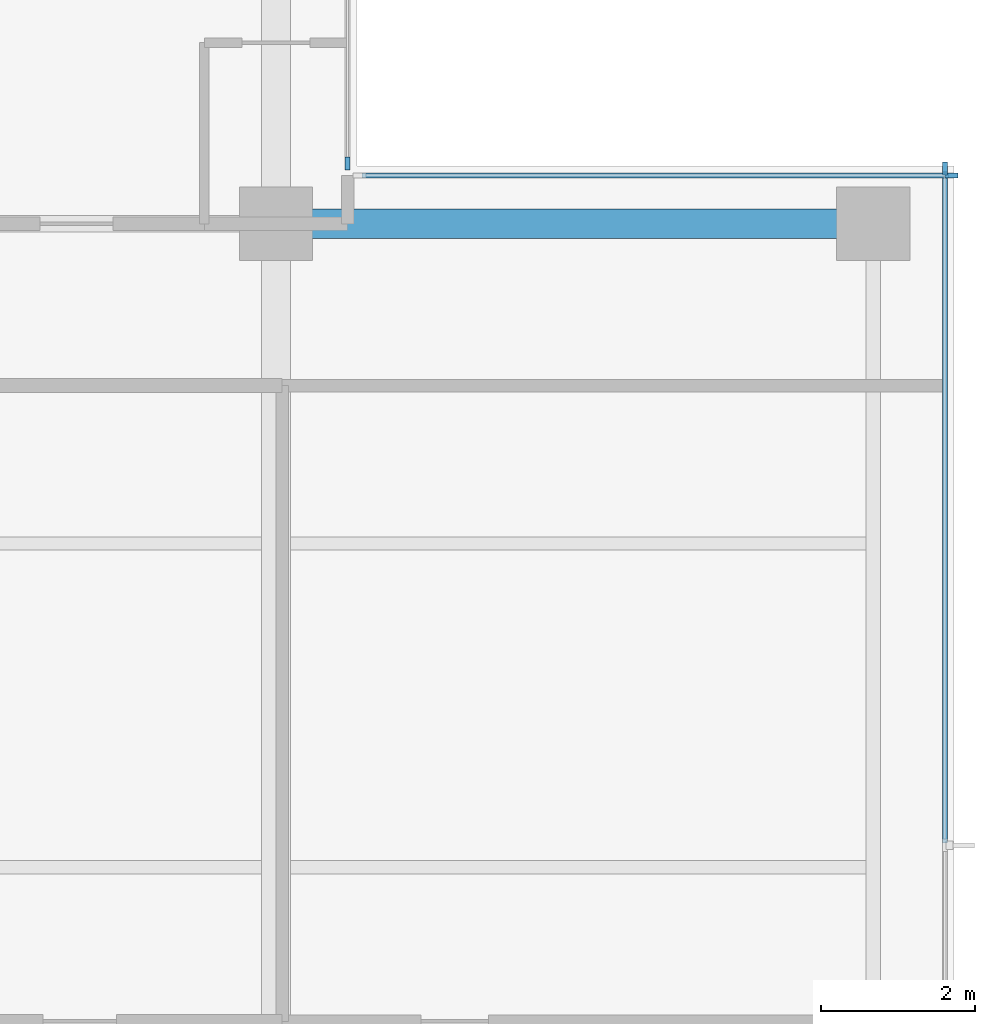
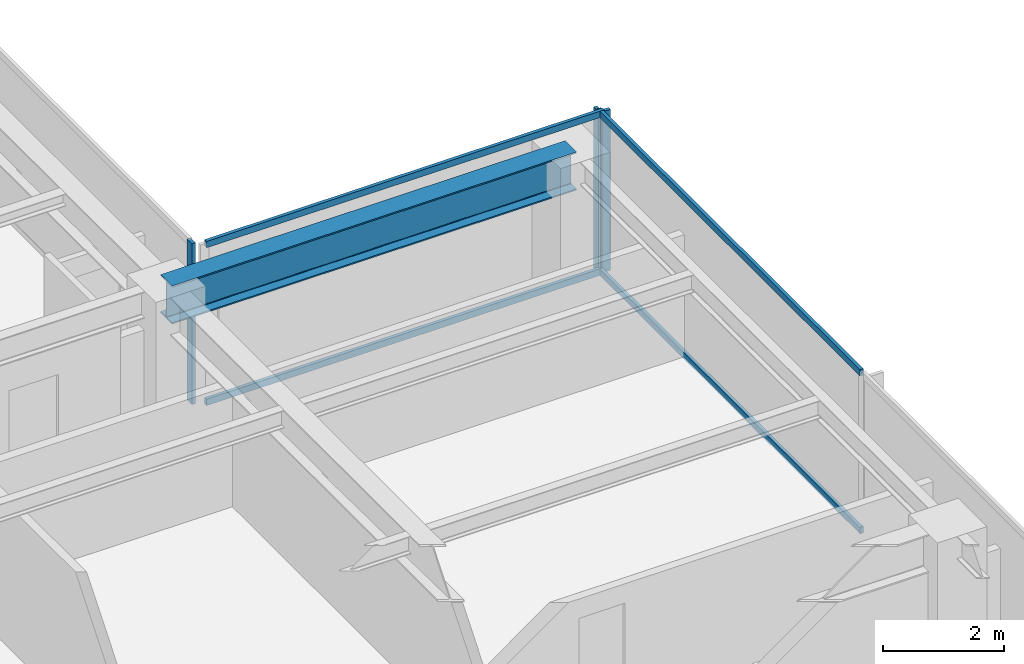
# One storey, part 4 of 15: 7 members, 1 beam, 3 elements without a shape of their own.
"""IFC4 building model written with IfcOpenShell, lengths in metres."""

from ifc_helpers import new_model, si_unit, direction, frame, origin, origin_2d, place, context, subcontext, project, spatial, rectangle, i_section, extrude, material, layer, layer_set, material_profile, profile_set, type_object, element, aggregate, save


model = new_model("IFC4")

# Units and contexts
model_context = context("Model", 3, precision=1e-05, world=origin(), true_north=direction((0.0, 1.0)))
body_context = subcontext(model_context, "Body", "Model", "MODEL_VIEW")
ifc_project = project(units=[si_unit("LENGTHUNIT", "METRE"), si_unit("AREAUNIT", "SQUARE_METRE"), si_unit("VOLUMEUNIT", "CUBIC_METRE"), si_unit("PLANEANGLEUNIT", "RADIAN"), si_unit("MASSUNIT", "GRAM", prefix="KILO")], contexts=[model_context])

# Site, building, storey
site_placement = place(None, origin())
site = spatial("IfcSite", under=ifc_project, at=site_placement, CompositionType="ELEMENT")
building_placement = place(site_placement, origin())
building = spatial("IfcBuilding", under=site, at=building_placement, Name="Qalmaran Belvedere Hotel", CompositionType="ELEMENT")
storey_placement = place(building_placement, frame((0.0, 0.0, 203.89990234375)))
storey = spatial("IfcBuildingStorey", under=building, at=storey_placement, Name="L51", CompositionType="ELEMENT", Elevation=203.89990234375)

# Beam
ifc_material_1 = material(Name="Steel S355JR", Category="steel")
ifc_material_profile_1 = material_profile(ifc_material_1, i_section(OverallWidth=0.381103515625, OverallDepth=0.77294921875, WebThickness=0.0166015625, FlangeThickness=0.027099609375, FilletRadius=0.02197265625, at=origin_2d()), Name="W760X257")
ifc_profile_set_1 = profile_set([ifc_material_profile_1], Name="Steel S355JR")
beam_type = type_object("IfcBeamType", Name="BM-PG4-W760X257", PredefinedType="USERDEFINED", material=ifc_profile_set_1)
beam_placement = place(storey_placement, frame((44.800048828125, 33.0, 2.87353515625), z_axis=(1.0, 0.0, 0.0), x_axis=(0.0, 1.0, 0.0)))
element("IfcBeam", 1, at=beam_placement, inside=storey, type_object=beam_type, Name="L51 East Wing Girder 27", ObjectType="GIRDER", PredefinedType="USERDEFINED", context=body_context, shape_type="SweptSolid", body=[
    extrude(i_section(OverallWidth=0.381103515625, OverallDepth=0.77294921875, WebThickness=0.0166015625, FlangeThickness=0.027099609375, FilletRadius=0.02197265625, at=origin_2d()), origin(), (0.0, 0.0, 1.0), 7.75),
])

# Curtain wall, member
ifc_material_2 = material(Name="Anodised Bronze Aluminium", Category="aluminium")
ifc_layer = layer(ifc_material_2, 0.18994140625, Name="Anodised Bronze Aluminium")
ifc_layer_set = layer_set([ifc_layer], Name="Anodised Bronze Aluminium")
curtain_wall_type = type_object("IfcCurtainWallType", Name="CW5-TOWER-UPPER", PredefinedType="NOTDEFINED", material=ifc_layer_set)
curtain_wall_1_placement = place(storey_placement, origin())
curtain_wall_1 = element("IfcCurtainWall", 2, at=curtain_wall_1_placement, inside=storey, type_object=curtain_wall_type, Name="L51 Curtain Wall CW5", PredefinedType="NOTDEFINED")
ifc_material_profile_2 = material_profile(ifc_material_2, rectangle(XDim=0.06494140625, YDim=0.1650390625, at=origin_2d()), Name="CWM65X165")
ifc_profile_set_2 = profile_set([ifc_material_profile_2], Name="Anodised Bronze Aluminium")
member_type_1 = type_object("IfcMemberType", Name="CWM-65X165", PredefinedType="MULLION", material=ifc_profile_set_2)
member_1_placement = place(storey_placement, frame((53.47998046875, 33.717529296875, 0.0), z_axis=(0.0, 0.0, 1.0), x_axis=(-1.0, 0.0, 0.0)))
member_1 = element("IfcMember", 3, at=member_1_placement, type_object=member_type_1, Name="CW5 mullion 4", PredefinedType="MULLION", context=body_context, shape_type="SweptSolid", body=[
    extrude(rectangle(XDim=0.06494140625, YDim=0.1650390625, at=origin_2d()), origin(), (0.0, 0.0, 1.0), 3.260009765625),
])

curtain_wall_2_placement = place(storey_placement, origin())
curtain_wall_2 = element("IfcCurtainWall", 4, at=curtain_wall_2_placement, inside=storey, type_object=curtain_wall_type, Name="L51 Curtain Wall CW5", PredefinedType="NOTDEFINED")
member_2_placement = place(storey_placement, frame((53.5673828125, 33.6298828125, 0.0), z_axis=(0.0, 0.0, 1.0), x_axis=(0.0, -1.0, 0.0)))
member_2 = element("IfcMember", 5, at=member_2_placement, type_object=member_type_1, Name="CW5 mullion 1", PredefinedType="MULLION", context=body_context, shape_type="SweptSolid", body=[
    extrude(rectangle(XDim=0.06494140625, YDim=0.1650390625, at=origin_2d()), origin(), (0.0, 0.0, 1.0), 3.260009765625),
])

curtain_wall_3_placement = place(storey_placement, origin())
curtain_wall_3 = element("IfcCurtainWall", 6, at=curtain_wall_3_placement, inside=storey, type_object=curtain_wall_type, Name="L51 Curtain Wall CW5", PredefinedType="NOTDEFINED")
member_3_placement = place(storey_placement, frame((45.72998046875, 33.782470703125, 0.0), z_axis=(0.0, 0.0, 1.0), x_axis=(-1.0, 0.0, 0.0)))
member_3 = element("IfcMember", 7, at=member_3_placement, type_object=member_type_1, Name="CW5 mullion 1", PredefinedType="MULLION", context=body_context, shape_type="SweptSolid", body=[
    extrude(rectangle(XDim=0.06494140625, YDim=0.1650390625, at=origin_2d()), origin(), (0.0, 0.0, 1.0), 3.260009765625),
])
aggregate(curtain_wall_3, [member_3])

# Member
ifc_material_profile_3 = material_profile(ifc_material_2, rectangle(XDim=0.06494140625, YDim=0.1298828125, at=origin_2d()), Name="CWT65X130")
ifc_profile_set_3 = profile_set([ifc_material_profile_3], Name="Anodised Bronze Aluminium")
member_type_2 = type_object("IfcMemberType", Name="CWT-65X130", PredefinedType="USERDEFINED", material=ifc_profile_set_3)
member_4_placement = place(storey_placement, frame((53.47998046875, 24.9658203125, 0.03271484375), z_axis=(0.0, 1.0, 0.0), x_axis=(-1.0, 0.0, 0.0)))
member_4 = element("IfcMember", 8, at=member_4_placement, type_object=member_type_2, Name="CW5 transom 3.1", ObjectType="TRANSOM", PredefinedType="USERDEFINED", context=body_context, shape_type="SweptSolid", body=[
    extrude(rectangle(XDim=0.06494140625, YDim=0.1298828125, at=origin_2d()), origin(), (0.0, 0.0, 1.0), 8.71923828125),
])

member_5_placement = place(storey_placement, frame((53.47998046875, 24.9658203125, 3.2275390625), z_axis=(0.0, 1.0, 0.0), x_axis=(-1.0, 0.0, 0.0)))
member_5 = element("IfcMember", 9, at=member_5_placement, type_object=member_type_2, Name="CW5 transom 3.2", ObjectType="TRANSOM", PredefinedType="USERDEFINED", context=body_context, shape_type="SweptSolid", body=[
    extrude(rectangle(XDim=0.06494140625, YDim=0.1298828125, at=origin_2d()), origin(), (0.0, 0.0, 1.0), 8.71923828125),
])

aggregate(curtain_wall_1, [member_1, member_4, member_5])

member_6_placement = place(storey_placement, frame((53.534912109375, 33.6298828125, 0.03271484375), z_axis=(-1.0, 0.0, 0.0), x_axis=(0.0, -1.0, 0.0)))
member_6 = element("IfcMember", 10, at=member_6_placement, type_object=member_type_2, Name="CW5 transom 1.1", ObjectType="TRANSOM", PredefinedType="USERDEFINED", context=body_context, shape_type="SweptSolid", body=[
    extrude(rectangle(XDim=0.06494140625, YDim=0.1298828125, at=origin_2d()), origin(), (0.0, 0.0, 1.0), 7.619873046875),
])

member_7_placement = place(storey_placement, frame((53.534912109375, 33.6298828125, 3.2275390625), z_axis=(-1.0, 0.0, 0.0), x_axis=(0.0, -1.0, 0.0)))
member_7 = element("IfcMember", 11, at=member_7_placement, type_object=member_type_2, Name="CW5 transom 1.2", ObjectType="TRANSOM", PredefinedType="USERDEFINED", context=body_context, shape_type="SweptSolid", body=[
    extrude(rectangle(XDim=0.06494140625, YDim=0.1298828125, at=origin_2d()), origin(), (0.0, 0.0, 1.0), 7.619873046875),
])

aggregate(curtain_wall_2, [member_2, member_6, member_7])

save(model, "model.ifc")
